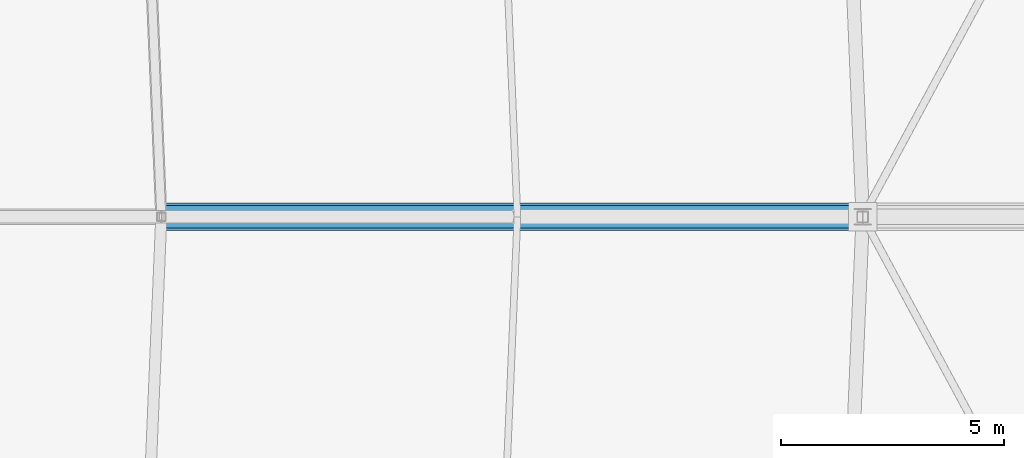
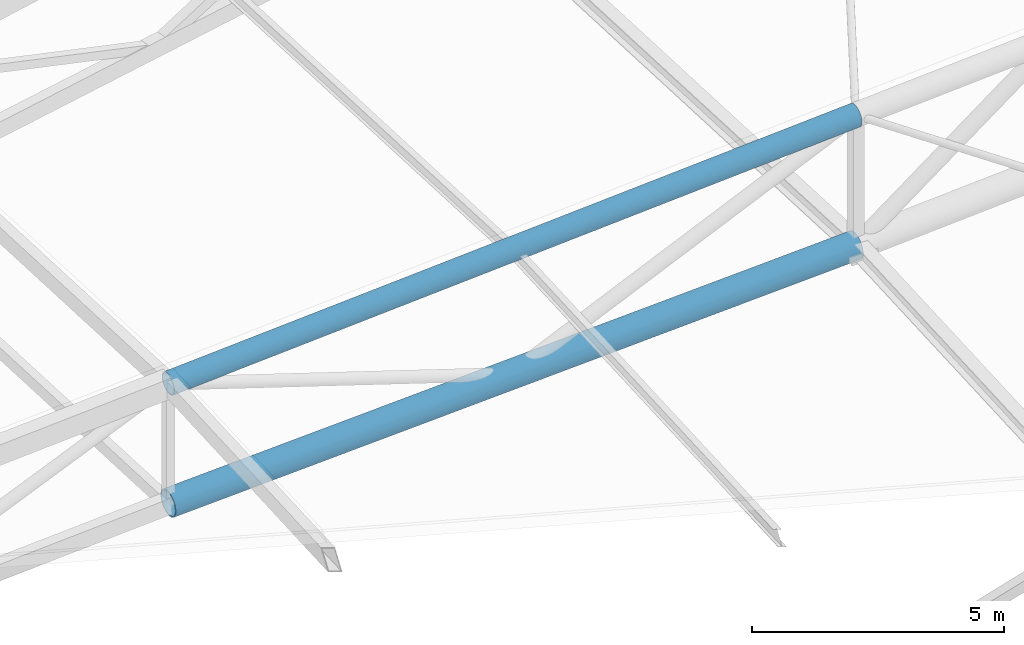
# One storey, part 73 of 143: 2 beams.
"""IFC4 building model written with IfcOpenShell, lengths in metres."""

from ifc_helpers import new_model, si_unit, direction, frame, origin, origin_2d, place, context, subcontext, project, spatial, hollow_circle, extrude, material, material_profile, profile_set, type_object, element, save


model = new_model("IFC4")

# Units and contexts
model_context = context("Model", 3, precision=1e-05, world=origin(), true_north=direction((0.0, 1.0)))
body_context = subcontext(model_context, "Body", "Model", "MODEL_VIEW")
ifc_project = project(units=[si_unit("LENGTHUNIT", "METRE"), si_unit("AREAUNIT", "SQUARE_METRE"), si_unit("VOLUMEUNIT", "CUBIC_METRE"), si_unit("PLANEANGLEUNIT", "RADIAN"), si_unit("MASSUNIT", "GRAM", prefix="KILO")], contexts=[model_context])

# Site, building, storey
site_placement = place(None, origin())
site = spatial("IfcSite", under=ifc_project, at=site_placement, CompositionType="ELEMENT")
building_placement = place(site_placement, origin())
building = spatial("IfcBuilding", under=site, at=building_placement, Name="Mphavela Belvedere Stadium", CompositionType="ELEMENT")
storey_placement = place(building_placement, frame((0.0, 0.0, 28.800048828125)))
storey = spatial("IfcBuildingStorey", under=building, at=storey_placement, Name="RF", CompositionType="ELEMENT", Elevation=28.800048828125)

# Beams
ifc_material_1 = material(Name="Steel S355", Category="steel")
ifc_material_profile_1 = material_profile(ifc_material_1, hollow_circle(Radius=0.304931640625, WallThickness=0.02490234375, at=origin_2d()), Name="CHS 610x25")
ifc_profile_set_1 = profile_set([ifc_material_profile_1], Name="Steel S355")
beam_type_1 = type_object("IfcBeamType", Name="BM-TRUSS-BC1", PredefinedType="BEAM", material=ifc_profile_set_1)
beam_1_placement = place(storey_placement, frame((208.60498046875, 87.0, 0.33154296875), z_axis=(-0.998896209592, 0.0, -0.046971932722), x_axis=(0.0, -1.0, 0.0)))
element("IfcBeam", 1, at=beam_1_placement, inside=storey, type_object=beam_type_1, Name="Radial roof truss RT-01 bottom chord 2", PredefinedType="BEAM", context=body_context, shape_type="SweptSolid", body=[
    extrude(hollow_circle(Radius=0.304931640625, WallThickness=0.02490234375, at=origin_2d()), origin(), (0.0, 0.0, 1.0), 15.77978515625),
])
ifc_material_2 = material(Name="Steel S355", Category="steel")
ifc_material_profile_2 = material_profile(ifc_material_2, hollow_circle(Radius=0.25390625, WallThickness=0.02490234375, at=origin_2d()), Name="CHS 508x25")
ifc_profile_set_2 = profile_set([ifc_material_profile_2], Name="Steel S355")
beam_type_2 = type_object("IfcBeamType", Name="BM-TRUSS-TC1", PredefinedType="BEAM", material=ifc_profile_set_2)
beam_2_placement = place(storey_placement, frame((208.60498046875, 87.0, 3.4814453125), z_axis=(-0.998028626324, 0.0, -0.062760346063), x_axis=(0.0, -1.0, 0.0)))
element("IfcBeam", 2, at=beam_2_placement, inside=storey, type_object=beam_type_2, Name="Radial roof truss RT-01 top chord 2", PredefinedType="BEAM", context=body_context, shape_type="SweptSolid", body=[
    extrude(hollow_circle(Radius=0.25390625, WallThickness=0.02490234375, at=origin_2d()), origin(), (0.0, 0.0, 1.0), 15.793701171875),
])

save(model, "model.ifc")
